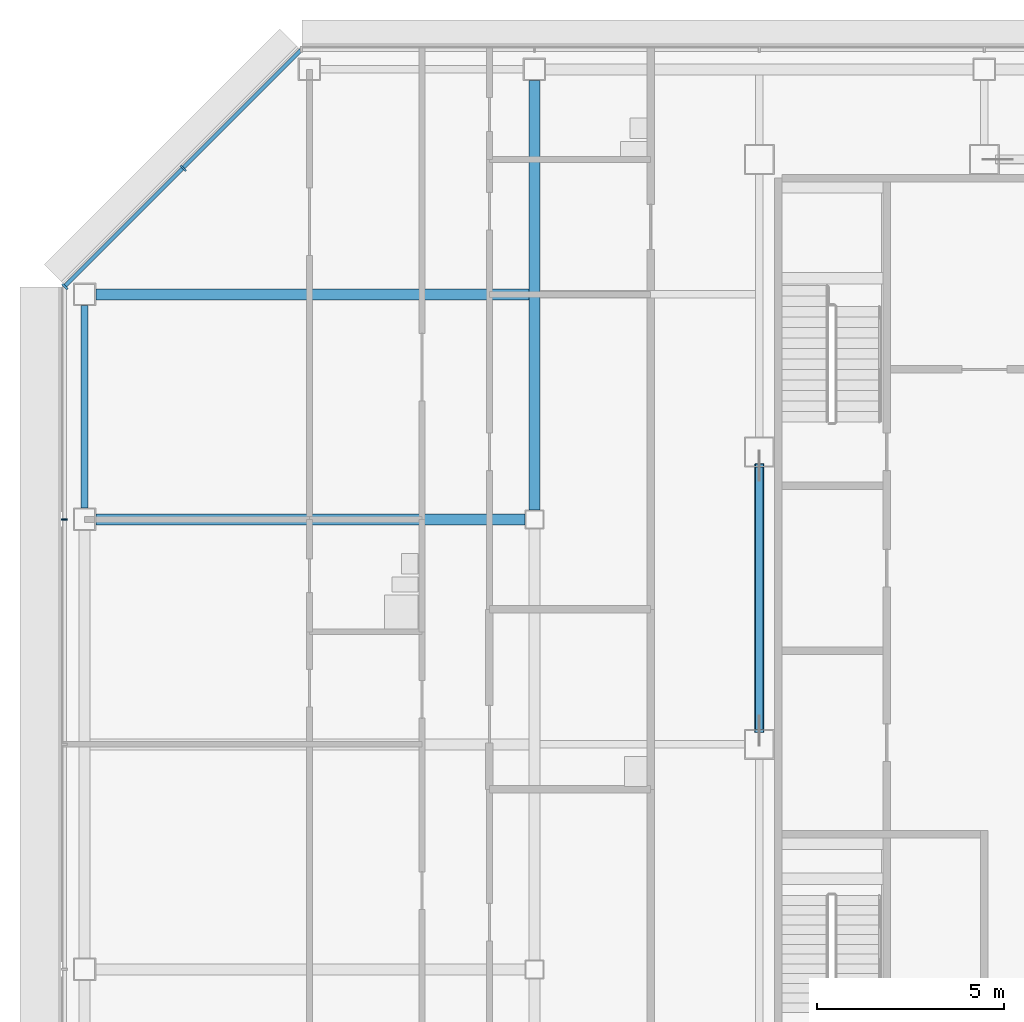
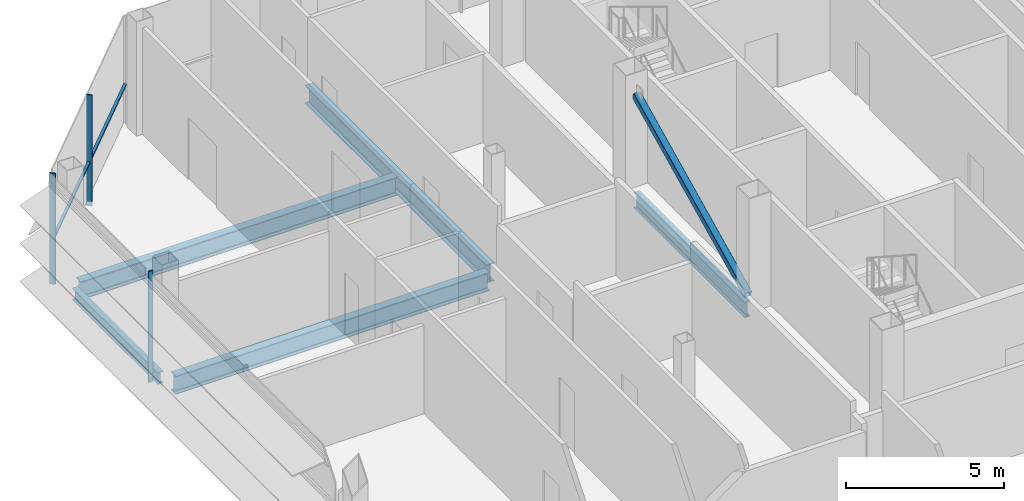
# One storey, part 12 of 29: 5 beams, 5 members, 2 elements without a shape of their own.
"""IFC4 building model written with IfcOpenShell, lengths in metres."""

from ifc_helpers import new_model, si_unit, direction, frame, origin, origin_2d, place, context, subcontext, project, spatial, rectangle, hollow_rectangle, i_section, extrude, material, material_profile, profile_set, type_object, element, aggregate, save


model = new_model("IFC4")

# Units and contexts
model_context = context("Model", 3, precision=1e-05, world=origin(), true_north=direction((0.0, 1.0)))
body_context = subcontext(model_context, "Body", "Model", "MODEL_VIEW")
ifc_project = project(units=[si_unit("LENGTHUNIT", "METRE"), si_unit("AREAUNIT", "SQUARE_METRE"), si_unit("VOLUMEUNIT", "CUBIC_METRE"), si_unit("PLANEANGLEUNIT", "RADIAN"), si_unit("MASSUNIT", "GRAM", prefix="KILO")], contexts=[model_context])

# Site, building, storey
site_placement = place(None, origin())
site = spatial("IfcSite", under=ifc_project, at=site_placement, CompositionType="ELEMENT")
building_placement = place(site_placement, origin())
building = spatial("IfcBuilding", under=site, at=building_placement, Name="Sorahane Residences", CompositionType="ELEMENT")
storey_placement = place(building_placement, frame((0.0, 0.0, 277.39990234375)))
storey = spatial("IfcBuildingStorey", under=building, at=storey_placement, Name="L66", CompositionType="ELEMENT", Elevation=277.39990234375)

# Member
ifc_material_1 = material(Name="Steel Q355B", Category="steel")
ifc_material_profile_1 = material_profile(ifc_material_1, hollow_rectangle(XDim=0.25, YDim=0.25, WallThickness=0.013916015625, InnerFilletRadius=0.007080078125, OuterFilletRadius=0.02099609375, at=origin_2d()), Name="RHS 250x250x14")
ifc_profile_set_1 = profile_set([ifc_material_profile_1], Name="Steel Q355B")
member_type_1 = type_object("IfcMemberType", Name="Core brace RHS 250x250x14 Q355B", PredefinedType="BRACE", material=ifc_profile_set_1)
member_1_placement = place(storey_placement, frame((6.0, 30.3671875, 0.109130859375), z_axis=(0.0, 0.899508856558, 0.436902525712), x_axis=(-1.0, 0.0, 0.0)))
element("IfcMember", 1, at=member_1_placement, inside=storey, type_object=member_type_1, Name="Core brace L66 x6-2", PredefinedType="BRACE", context=body_context, shape_type="SweptSolid", body=[
    extrude(hollow_rectangle(XDim=0.25, YDim=0.25, WallThickness=0.013916015625, InnerFilletRadius=0.007080078125, OuterFilletRadius=0.02099609375, at=origin_2d()), origin(), (0.0, 0.0, 1.0), 7.85498046875),
])

# Curtain wall, member
ifc_material_2 = material(Name="Dark low-e glass and black anodised aluminium", Category="aluminium")
curtain_wall_type_1 = type_object("IfcCurtainWallType", Name="Curtain wall CW-1 Typical unitised wall", PredefinedType="NOTDEFINED", material=ifc_material_2)
curtain_wall_1_placement = place(storey_placement, origin())
curtain_wall_1 = element("IfcCurtainWall", 2, at=curtain_wall_1_placement, inside=storey, type_object=curtain_wall_type_1, Name="CW-1 curtain wall L66 W1", PredefinedType="NOTDEFINED")
ifc_material_3 = material(Name="Black anodised aluminium", Category="aluminium")
ifc_material_profile_2 = material_profile(ifc_material_3, rectangle(XDim=0.159912109375, YDim=0.050048828125, at=origin_2d()), Name="Curtain wall mullion CW-1 black anodised aluminium 50x160")
ifc_profile_set_2 = profile_set([ifc_material_profile_2], Name="Black anodised aluminium")
member_type_2 = type_object("IfcMemberType", Name="Curtain wall mullion CW-1 black anodised aluminium 50x160", PredefinedType="MULLION", material=ifc_profile_set_2)
member_2_placement = place(storey_placement, frame((-12.5400390625, 36.0, -0.179931640625), z_axis=(0.0, 0.0, 1.0), x_axis=(-1.0, 0.0, 0.0)))
member_2 = element("IfcMember", 3, at=member_2_placement, type_object=member_type_2, Name="CW-1 mullion L66 W1.2", PredefinedType="MULLION", context=body_context, shape_type="SweptSolid", body=[
    extrude(rectangle(XDim=0.159912109375, YDim=0.050048828125, at=origin_2d()), origin(), (0.0, 0.0, 1.0), 4.280029296875),
])
aggregate(curtain_wall_1, [member_2])

# Curtain wall, members
ifc_material_4 = material(Name="Dark low-e glass and black anodised aluminium", Category="aluminium")
curtain_wall_type_2 = type_object("IfcCurtainWallType", Name="Curtain wall CW-2 Chamfer unitised wall", PredefinedType="NOTDEFINED", material=ifc_material_4)
curtain_wall_2_placement = place(storey_placement, origin())
curtain_wall_2 = element("IfcCurtainWall", 4, at=curtain_wall_2_placement, inside=storey, type_object=curtain_wall_type_2, Name="CW-2 curtain wall L66 NW1", PredefinedType="NOTDEFINED")
ifc_material_5 = material(Name="Black anodised aluminium", Category="aluminium")
ifc_material_profile_3 = material_profile(ifc_material_5, rectangle(XDim=0.199951171875, YDim=0.050048828125, at=origin_2d()), Name="Curtain wall mullion CW-2 black anodised aluminium 50x200")
ifc_profile_set_3 = profile_set([ifc_material_profile_3], Name="Black anodised aluminium")
member_type_3 = type_object("IfcMemberType", Name="Curtain wall mullion CW-2 black anodised aluminium 50x200", PredefinedType="MULLION", material=ifc_profile_set_3)
member_3_placement = place(storey_placement, frame((-9.36767578125, 45.36767578125, -0.179931640625), z_axis=(0.0, 0.0, 1.0), x_axis=(-0.707106781187, 0.707106781187, 0.0)))
member_3 = element("IfcMember", 5, at=member_3_placement, type_object=member_type_3, Name="CW-2 mullion L66 NW1.2", PredefinedType="MULLION", context=body_context, shape_type="SweptSolid", body=[
    extrude(rectangle(XDim=0.199951171875, YDim=0.050048828125, at=origin_2d()), origin(), (0.0, 0.0, 1.0), 4.280029296875),
])
member_4_placement = place(storey_placement, frame((-12.525634765625, 42.209716796875, -0.179931640625), z_axis=(0.0, 0.0, 1.0), x_axis=(-0.707106781187, 0.707106781187, 0.0)))
member_4 = element("IfcMember", 6, at=member_4_placement, type_object=member_type_3, Name="CW-2 mullion L66 NW1.3", PredefinedType="MULLION", context=body_context, shape_type="SweptSolid", body=[
    extrude(rectangle(XDim=0.199951171875, YDim=0.050048828125, at=origin_2d()), origin(), (0.0, 0.0, 1.0), 4.280029296875),
])
ifc_material_6 = material(Name="Black anodised aluminium", Category="aluminium")
ifc_material_profile_4 = material_profile(ifc_material_6, rectangle(XDim=0.10009765625, YDim=0.06005859375, at=origin_2d()), Name="Curtain wall transom CW-2 black anodised aluminium 60x100")
ifc_profile_set_4 = profile_set([ifc_material_profile_4], Name="Black anodised aluminium")
member_type_4 = type_object("IfcMemberType", Name="Curtain wall transom CW-2 black anodised aluminium 60x100", PredefinedType="USERDEFINED", material=ifc_profile_set_4)
member_5_placement = place(storey_placement, frame((-6.234375, 48.51513671875, 1.5), z_axis=(-0.707106781187, -0.707106781187, 0.0), x_axis=(0.707106781187, -0.707106781187, 0.0)))
member_5 = element("IfcMember", 7, at=member_5_placement, type_object=member_type_4, Name="CW-2 transom L66 NW1", ObjectType="TRANSOM", PredefinedType="USERDEFINED", context=body_context, shape_type="SweptSolid", body=[
    extrude(rectangle(XDim=0.10009765625, YDim=0.06005859375, at=origin_2d()), origin(), (0.0, 0.0, 1.0), 8.88232421875),
])
aggregate(curtain_wall_2, [member_3, member_4, member_5])

# Beams
ifc_material_7 = material(Name="Steel Q355B", Category="steel")
ifc_material_profile_5 = material_profile(ifc_material_7, i_section(OverallWidth=0.199951171875, OverallDepth=0.449951171875, WebThickness=0.009033203125, FlangeThickness=0.013916015625, FilletRadius=0.02001953125, at=origin_2d()), Name="HN 450x200x9x14")
ifc_profile_set_5 = profile_set([ifc_material_profile_5], Name="Steel Q355B")
beam_type_1 = type_object("IfcBeamType", Name="Steel floor beam HN 450x200x9x14 Q355B", PredefinedType="BEAM", material=ifc_profile_set_5)
beam_1_placement = place(storey_placement, frame((-12.0, 36.300048828125, -0.40478515625), z_axis=(0.0, 1.0, 0.0), x_axis=(-1.0, 0.0, 0.0)))
element("IfcBeam", 8, at=beam_1_placement, inside=storey, type_object=beam_type_1, Name="Beam L66 023", PredefinedType="BEAM", context=body_context, shape_type="SweptSolid", body=[
    extrude(i_section(OverallWidth=0.199951171875, OverallDepth=0.449951171875, WebThickness=0.009033203125, FlangeThickness=0.013916015625, FilletRadius=0.02001953125, at=origin_2d()), origin(), (0.0, 0.0, 1.0), 5.39990234375),
])
ifc_material_8 = material(Name="Steel Q355B", Category="steel")
ifc_material_profile_6 = material_profile(ifc_material_8, i_section(OverallWidth=0.199951171875, OverallDepth=0.60009765625, WebThickness=0.010986328125, FlangeThickness=0.01708984375, FilletRadius=0.02392578125, at=origin_2d()), Name="HN 600x200x11x17")
ifc_profile_set_6 = profile_set([ifc_material_profile_6], Name="Steel Q355B")
beam_type_2 = type_object("IfcBeamType", Name="Steel floor beam HN 600x200x11x17 Q355B", PredefinedType="BEAM", material=ifc_profile_set_6)
beam_2_placement = place(storey_placement, frame((6.0, 30.39990234375, -0.47998046875), z_axis=(0.0, 1.0, 0.0), x_axis=(-1.0, 0.0, 0.0)))
element("IfcBeam", 9, at=beam_2_placement, inside=storey, type_object=beam_type_2, Name="Beam L66 031", PredefinedType="BEAM", context=body_context, shape_type="SweptSolid", body=[
    extrude(i_section(OverallWidth=0.199951171875, OverallDepth=0.60009765625, WebThickness=0.010986328125, FlangeThickness=0.01708984375, FilletRadius=0.02392578125, at=origin_2d()), origin(), (0.0, 0.0, 1.0), 7.0),
])
ifc_material_9 = material(Name="Steel Q355B", Category="steel")
ifc_material_profile_7 = material_profile(ifc_material_9, i_section(OverallWidth=0.300048828125, OverallDepth=0.699951171875, WebThickness=0.012939453125, FlangeThickness=0.02392578125, FilletRadius=0.028076171875, at=origin_2d()), Name="HN 700x300x13x24")
ifc_profile_set_7 = profile_set([ifc_material_profile_7], Name="Steel Q355B")
beam_type_3 = type_object("IfcBeamType", Name="Steel floor beam HN 700x300x13x24 Q355B", PredefinedType="BEAM", material=ifc_profile_set_7)
for number, where, z_axis, x_axis, name in (
    (10, (-11.699951171875, 36.0, -0.52978515625), (1.0, 0.0, 0.0), (0.0, 1.0, 0.0), "Beam L66 013"),
    (11, (0.0, 36.25, -0.52978515625), (0.0, 1.0, 0.0), (-1.0, 0.0, 0.0), "Beam L66 027"),
):
    element("IfcBeam", number, at=place(storey_placement, frame(where, z_axis=z_axis, x_axis=x_axis)), inside=storey, type_object=beam_type_3, Name=name, PredefinedType="BEAM", context=body_context, shape_type="SweptSolid", body=[
        extrude(i_section(OverallWidth=0.300048828125, OverallDepth=0.699951171875, WebThickness=0.012939453125, FlangeThickness=0.02392578125, FilletRadius=0.028076171875, at=origin_2d()), origin(), (0.0, 0.0, 1.0), 11.449951171875),
    ])
beam_3_placement = place(storey_placement, frame((-11.699951171875, 42.0, -0.52978515625), z_axis=(1.0, 0.0, 0.0), x_axis=(0.0, 1.0, 0.0)))
element("IfcBeam", 12, at=beam_3_placement, inside=storey, type_object=beam_type_3, Name="Beam L66 089", PredefinedType="BEAM", context=body_context, shape_type="SweptSolid", body=[
    extrude(i_section(OverallWidth=0.300048828125, OverallDepth=0.699951171875, WebThickness=0.012939453125, FlangeThickness=0.02392578125, FilletRadius=0.028076171875, at=origin_2d()), origin(), (0.0, 0.0, 1.0), 11.550048828125),
])

save(model, "model.ifc")
